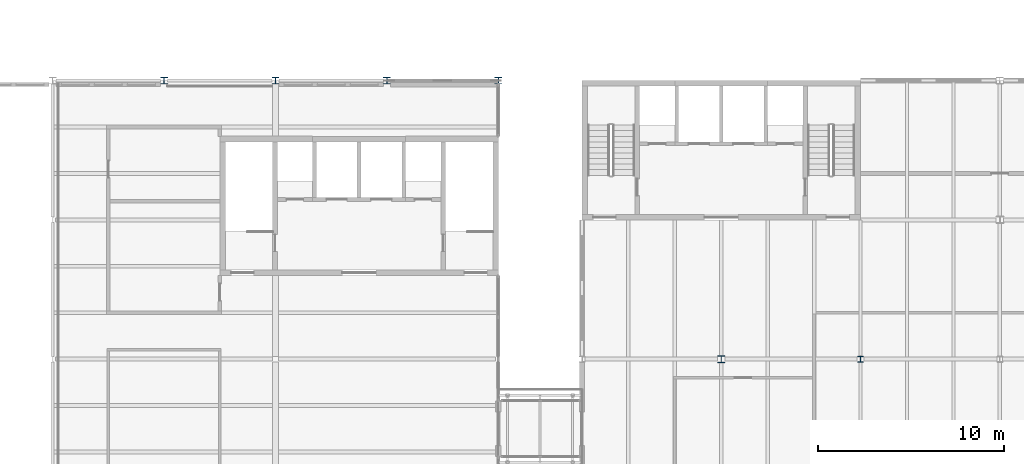
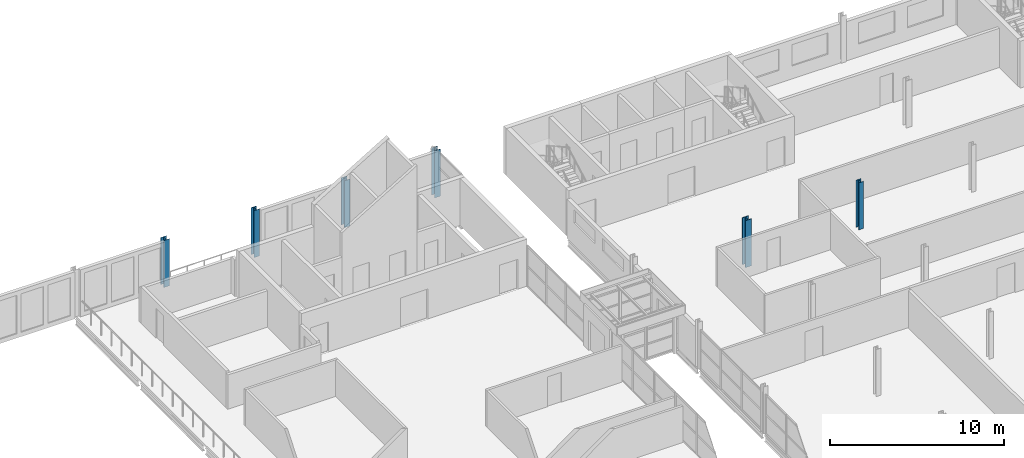
# One storey, part 12 of 214: 6 columns.
"""IFC4 building model written with IfcOpenShell, lengths in metres."""

from ifc_helpers import new_model, si_unit, direction, frame, origin, origin_2d, place, context, subcontext, project, spatial, i_section, extrude, material, material_profile, profile_set, type_object, element, save


model = new_model("IFC4")

# Units and contexts
model_context = context("Model", 3, precision=1e-05, world=origin(), true_north=direction((0.0, 1.0)))
body_context = subcontext(model_context, "Body", "Model", "MODEL_VIEW")
ifc_project = project(units=[si_unit("LENGTHUNIT", "METRE"), si_unit("AREAUNIT", "SQUARE_METRE"), si_unit("VOLUMEUNIT", "CUBIC_METRE"), si_unit("PLANEANGLEUNIT", "RADIAN"), si_unit("MASSUNIT", "GRAM", prefix="KILO")], contexts=[model_context])

# Site, building, storey
site_placement = place(None, origin())
site = spatial("IfcSite", under=ifc_project, at=site_placement, CompositionType="ELEMENT")
building_placement = place(site_placement, origin())
building = spatial("IfcBuilding", under=site, at=building_placement, Name="Parallax Yard Mobility Hub", CompositionType="ELEMENT")
storey_placement = place(building_placement, frame((0.0, 0.0, 3.300048828125)))
storey = spatial("IfcBuildingStorey", under=building, at=storey_placement, Name="L01", CompositionType="ELEMENT", Elevation=3.300048828125)

# Columns
ifc_material = material(Name="Steel ASTM A992", Category="steel")
ifc_material_profile_1 = material_profile(ifc_material, i_section(OverallWidth=0.31005859375, OverallDepth=0.327880859375, WebThickness=0.015380859375, FlangeThickness=0.025146484375, FilletRadius=0.015380859375, at=origin_2d()), Name="W310x158")
ifc_profile_set_1 = profile_set([ifc_material_profile_1], Name="Steel ASTM A992")
column_type_1 = type_object("IfcColumnType", Name="W310x158 column", PredefinedType="COLUMN", material=ifc_profile_set_1)
column_1_placement = place(storey_placement, frame((112.5, 37.5, 0.0), z_axis=(0.0, 0.0, 1.0), x_axis=(1.0, 0.0, 0.0)))
element("IfcColumn", 1, at=column_1_placement, inside=storey, type_object=column_type_1, Name="Column C6 level L01 at F/16 of mobility service centre and workshops", PredefinedType="COLUMN", context=body_context, shape_type="SweptSolid", body=[
    extrude(i_section(OverallWidth=0.31005859375, OverallDepth=0.327880859375, WebThickness=0.015380859375, FlangeThickness=0.025146484375, FilletRadius=0.015380859375, at=origin_2d()), origin(), (0.0, 0.0, 1.0), 3.300048828125),
])
ifc_material_profile_2 = material_profile(ifc_material, i_section(OverallWidth=0.373046875, OverallDepth=0.367919921875, WebThickness=0.014892578125, FlangeThickness=0.02392578125, FilletRadius=0.01513671875, at=origin_2d()), Name="W360x179")
ifc_profile_set_2 = profile_set([ifc_material_profile_2], Name="Steel ASTM A992")
column_type_2 = type_object("IfcColumnType", Name="W360x179 column", PredefinedType="COLUMN", material=ifc_profile_set_2)
for number, where, z_axis, x_axis, name in (
    (2, (75.0, 52.5, 0.0), (0.0, 0.0, 1.0), (1.0, 0.0, 0.0), "Column C7 level L01 at F12/H of bus and taxi deck"),
    (3, (81.0, 52.5, 0.0), (0.0, 0.0, 1.0), (1.0, 0.0, 0.0), "Column C7 level L01 at F13/H of bus and taxi deck"),
    (4, (87.0, 52.5, 0.0), (0.0, 0.0, 1.0), (1.0, 0.0, 0.0), "Column C7 level L01 at F14/H of bus and taxi deck"),
    (5, (93.0, 52.5, 0.0), (0.0, 0.0, 1.0), (1.0, 0.0, 0.0), "Column C7 level L01 at F15/H of bus and taxi deck"),
):
    element("IfcColumn", number, at=place(storey_placement, frame(where, z_axis=z_axis, x_axis=x_axis)), inside=storey, type_object=column_type_2, Name=name, PredefinedType="COLUMN", context=body_context, shape_type="SweptSolid", body=[
        extrude(i_section(OverallWidth=0.373046875, OverallDepth=0.367919921875, WebThickness=0.014892578125, FlangeThickness=0.02392578125, FilletRadius=0.01513671875, at=origin_2d()), origin(), (0.0, 0.0, 1.0), 3.300048828125),
    ])
ifc_material_profile_3 = material_profile(ifc_material, i_section(OverallWidth=0.39599609375, OverallDepth=0.381103515625, WebThickness=0.018798828125, FlangeThickness=0.0302734375, FilletRadius=0.015380859375, at=origin_2d()), Name="W360x237")
ifc_profile_set_3 = profile_set([ifc_material_profile_3], Name="Steel ASTM A992")
column_type_3 = type_object("IfcColumnType", Name="W360x237 column", PredefinedType="COLUMN", material=ifc_profile_set_3)
column_2_placement = place(storey_placement, frame((105.0, 37.5, 0.0), z_axis=(0.0, 0.0, 1.0), x_axis=(1.0, 0.0, 0.0)))
element("IfcColumn", 6, at=column_2_placement, inside=storey, type_object=column_type_3, Name="Column C10 level L01 at F/15 of mobility service centre and workshops", PredefinedType="COLUMN", context=body_context, shape_type="SweptSolid", body=[
    extrude(i_section(OverallWidth=0.39599609375, OverallDepth=0.381103515625, WebThickness=0.018798828125, FlangeThickness=0.0302734375, FilletRadius=0.015380859375, at=origin_2d()), origin(), (0.0, 0.0, 1.0), 3.300048828125),
])

save(model, "model.ifc")
